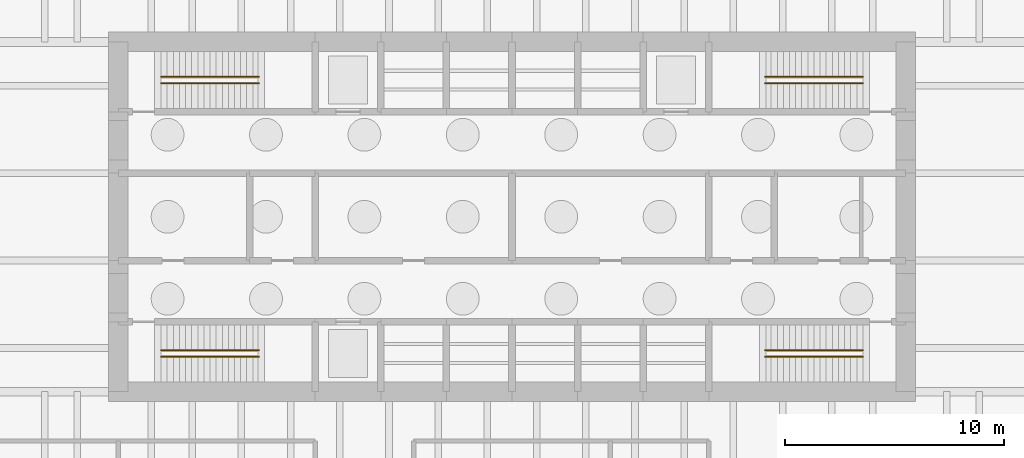
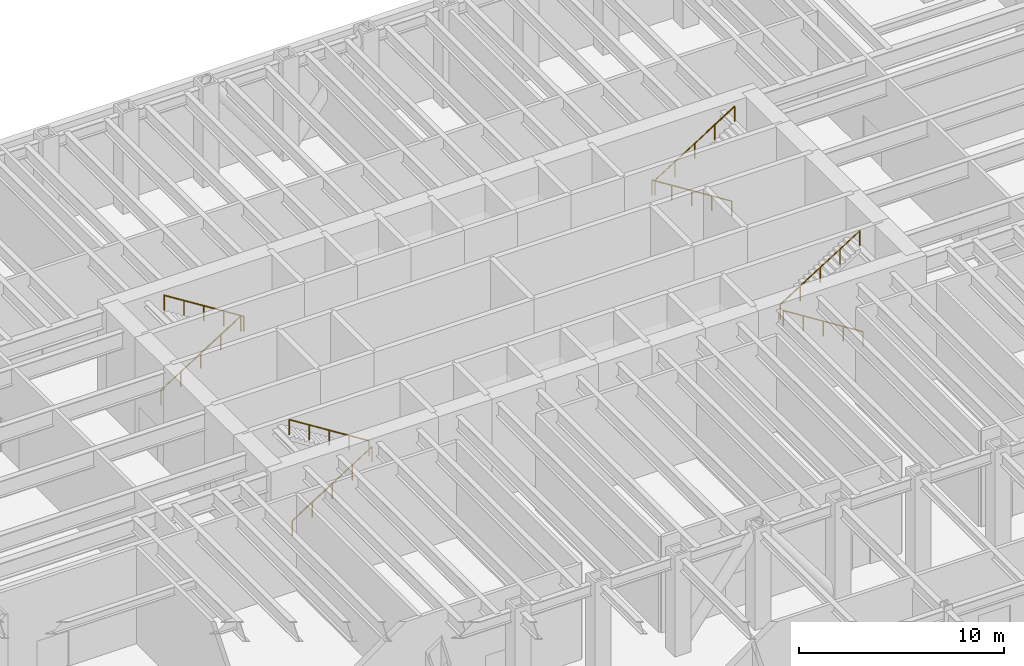
# One storey, part 8 of 9: 8 railings.
"""IFC4 building model written with IfcOpenShell, lengths in metres."""

from ifc_helpers import new_model, si_unit, direction, frame, origin, origin_2d, place, context, subcontext, project, spatial, circle, extrude, material, type_object, element, save


model = new_model("IFC4")

# Units and contexts
model_context = context("Model", 3, precision=1e-05, world=origin(), true_north=direction((0.0, 1.0)))
body_context = subcontext(model_context, "Body", "Model", "MODEL_VIEW")
ifc_project = project(units=[si_unit("LENGTHUNIT", "METRE"), si_unit("AREAUNIT", "SQUARE_METRE"), si_unit("VOLUMEUNIT", "CUBIC_METRE"), si_unit("PLANEANGLEUNIT", "RADIAN"), si_unit("MASSUNIT", "GRAM", prefix="KILO")], contexts=[model_context])

# Site, building, storey
site_placement = place(None, origin())
site = spatial("IfcSite", under=ifc_project, at=site_placement, CompositionType="ELEMENT")
building_placement = place(site_placement, origin())
building = spatial("IfcBuilding", under=site, at=building_placement, Name="Rheinbord Bourse Tower", CompositionType="ELEMENT")
storey_placement = place(building_placement, frame((0.0, 0.0, -6.0)))
storey = spatial("IfcBuildingStorey", under=building, at=storey_placement, Name="B1", CompositionType="ELEMENT", Elevation=-6.0)

# Railings
ifc_material = material(Name="Steel handrail", Category="steel")
railing_type = type_object("IfcRailingType", Name="HANDRAIL 900", PredefinedType="HANDRAIL", material=ifc_material)
railing_1_placement = place(storey_placement, frame((19.949951171875, 17.60009765625, 0.176025390625)))
element("IfcRailing", 1, at=railing_1_placement, inside=storey, type_object=railing_type, Name="Handrail", PredefinedType="HANDRAIL", context=body_context, shape_type="SweptSolid", body=[
    extrude(circle(Radius=0.02392578125, at=origin_2d()), frame((0.0, 0.0, 0.8759765625), z_axis=(0.845956345692, 0.0, 0.533252155347), x_axis=(0.0, 1.0, 0.0)), (0.0, 0.0, 1.0), 5.295654296875),
    extrude(circle(Radius=0.02099609375, at=origin_2d()), origin(), (0.0, 0.0, 1.0), 0.851806640625),
    extrude(circle(Radius=0.02099609375, at=origin_2d()), frame((1.1201171875, 0.0, 0.7060546875)), (0.0, 0.0, 1.0), 0.851806640625),
    extrude(circle(Radius=0.02099609375, at=origin_2d()), frame((2.239990234375, 0.0, 1.412109375)), (0.0, 0.0, 1.0), 0.851806640625),
    extrude(circle(Radius=0.02099609375, at=origin_2d()), frame((3.35986328125, 0.0, 2.117919921875)), (0.0, 0.0, 1.0), 0.851806640625),
    extrude(circle(Radius=0.02099609375, at=origin_2d()), frame((4.47998046875, 0.0, 2.823974609375)), (0.0, 0.0, 1.0), 0.851806640625),
])
railing_2_placement = place(storey_placement, frame((24.429931640625, 17.89990234375, 3.176025390625)))
element("IfcRailing", 2, at=railing_2_placement, inside=storey, type_object=railing_type, Name="Handrail", PredefinedType="HANDRAIL", context=body_context, shape_type="SweptSolid", body=[
    extrude(circle(Radius=0.02392578125, at=origin_2d()), frame((0.0, 0.0, 0.8759765625), z_axis=(-0.845956345692, 0.0, 0.533252155347), x_axis=(0.0, -1.0, 0.0)), (0.0, 0.0, 1.0), 5.295654296875),
    extrude(circle(Radius=0.02099609375, at=origin_2d()), origin(), (0.0, 0.0, 1.0), 0.851806640625),
    extrude(circle(Radius=0.02099609375, at=origin_2d()), frame((-1.1201171875, 0.0, 0.7060546875)), (0.0, 0.0, 1.0), 0.851806640625),
    extrude(circle(Radius=0.02099609375, at=origin_2d()), frame((-2.239990234375, 0.0, 1.412109375)), (0.0, 0.0, 1.0), 0.851806640625),
    extrude(circle(Radius=0.02099609375, at=origin_2d()), frame((-3.35986328125, 0.0, 2.117919921875)), (0.0, 0.0, 1.0), 0.851806640625),
    extrude(circle(Radius=0.02099609375, at=origin_2d()), frame((-4.47998046875, 0.0, 2.823974609375)), (0.0, 0.0, 1.0), 0.851806640625),
])
railing_3_placement = place(storey_placement, frame((19.949951171875, 30.39990234375, 0.176025390625)))
element("IfcRailing", 3, at=railing_3_placement, inside=storey, type_object=railing_type, Name="Handrail", PredefinedType="HANDRAIL", context=body_context, shape_type="SweptSolid", body=[
    extrude(circle(Radius=0.02392578125, at=origin_2d()), frame((0.0, 0.0, 0.8759765625), z_axis=(0.845956345692, 0.0, 0.533252155347), x_axis=(0.0, 1.0, 0.0)), (0.0, 0.0, 1.0), 5.295654296875),
    extrude(circle(Radius=0.02099609375, at=origin_2d()), origin(), (0.0, 0.0, 1.0), 0.851806640625),
    extrude(circle(Radius=0.02099609375, at=origin_2d()), frame((1.1201171875, 0.0, 0.7060546875)), (0.0, 0.0, 1.0), 0.851806640625),
    extrude(circle(Radius=0.02099609375, at=origin_2d()), frame((2.239990234375, 0.0, 1.412109375)), (0.0, 0.0, 1.0), 0.851806640625),
    extrude(circle(Radius=0.02099609375, at=origin_2d()), frame((3.35986328125, 0.0, 2.117919921875)), (0.0, 0.0, 1.0), 0.851806640625),
    extrude(circle(Radius=0.02099609375, at=origin_2d()), frame((4.47998046875, 0.0, 2.823974609375)), (0.0, 0.0, 1.0), 0.851806640625),
])
for number, where, name in (
    (4, (24.429931640625, 30.10009765625, 3.176025390625), "Handrail"),
    (5, (52.050048828125, 17.60009765625, 0.176025390625), "Handrail"),
):
    element("IfcRailing", number, at=place(storey_placement, frame(where)), inside=storey, type_object=railing_type, Name=name, PredefinedType="HANDRAIL", context=body_context, shape_type="SweptSolid", body=[
        extrude(circle(Radius=0.02392578125, at=origin_2d()), frame((0.0, 0.0, 0.8759765625), z_axis=(-0.845956345692, 0.0, 0.533252155347), x_axis=(0.0, -1.0, 0.0)), (0.0, 0.0, 1.0), 5.295654296875),
        extrude(circle(Radius=0.02099609375, at=origin_2d()), origin(), (0.0, 0.0, 1.0), 0.851806640625),
        extrude(circle(Radius=0.02099609375, at=origin_2d()), frame((-1.1201171875, 0.0, 0.7060546875)), (0.0, 0.0, 1.0), 0.851806640625),
        extrude(circle(Radius=0.02099609375, at=origin_2d()), frame((-2.239990234375, 0.0, 1.412109375)), (0.0, 0.0, 1.0), 0.851806640625),
        extrude(circle(Radius=0.02099609375, at=origin_2d()), frame((-3.35986328125, 0.0, 2.117919921875)), (0.0, 0.0, 1.0), 0.851806640625),
        extrude(circle(Radius=0.02099609375, at=origin_2d()), frame((-4.47998046875, 0.0, 2.823974609375)), (0.0, 0.0, 1.0), 0.851806640625),
    ])
railing_4_placement = place(storey_placement, frame((47.570068359375, 17.89990234375, 3.176025390625)))
element("IfcRailing", 6, at=railing_4_placement, inside=storey, type_object=railing_type, Name="Handrail", PredefinedType="HANDRAIL", context=body_context, shape_type="SweptSolid", body=[
    extrude(circle(Radius=0.02392578125, at=origin_2d()), frame((0.0, 0.0, 0.8759765625), z_axis=(0.845956345692, 0.0, 0.533252155347), x_axis=(0.0, 1.0, 0.0)), (0.0, 0.0, 1.0), 5.295654296875),
    extrude(circle(Radius=0.02099609375, at=origin_2d()), origin(), (0.0, 0.0, 1.0), 0.851806640625),
    extrude(circle(Radius=0.02099609375, at=origin_2d()), frame((1.1201171875, 0.0, 0.7060546875)), (0.0, 0.0, 1.0), 0.851806640625),
    extrude(circle(Radius=0.02099609375, at=origin_2d()), frame((2.239990234375, 0.0, 1.412109375)), (0.0, 0.0, 1.0), 0.851806640625),
    extrude(circle(Radius=0.02099609375, at=origin_2d()), frame((3.35986328125, 0.0, 2.117919921875)), (0.0, 0.0, 1.0), 0.851806640625),
    extrude(circle(Radius=0.02099609375, at=origin_2d()), frame((4.47998046875, 0.0, 2.823974609375)), (0.0, 0.0, 1.0), 0.851806640625),
])
railing_5_placement = place(storey_placement, frame((52.050048828125, 30.39990234375, 0.176025390625)))
element("IfcRailing", 7, at=railing_5_placement, inside=storey, type_object=railing_type, Name="Handrail", PredefinedType="HANDRAIL", context=body_context, shape_type="SweptSolid", body=[
    extrude(circle(Radius=0.02392578125, at=origin_2d()), frame((0.0, 0.0, 0.8759765625), z_axis=(-0.845956345692, 0.0, 0.533252155347), x_axis=(0.0, -1.0, 0.0)), (0.0, 0.0, 1.0), 5.295654296875),
    extrude(circle(Radius=0.02099609375, at=origin_2d()), origin(), (0.0, 0.0, 1.0), 0.851806640625),
    extrude(circle(Radius=0.02099609375, at=origin_2d()), frame((-1.1201171875, 0.0, 0.7060546875)), (0.0, 0.0, 1.0), 0.851806640625),
    extrude(circle(Radius=0.02099609375, at=origin_2d()), frame((-2.239990234375, 0.0, 1.412109375)), (0.0, 0.0, 1.0), 0.851806640625),
    extrude(circle(Radius=0.02099609375, at=origin_2d()), frame((-3.35986328125, 0.0, 2.117919921875)), (0.0, 0.0, 1.0), 0.851806640625),
    extrude(circle(Radius=0.02099609375, at=origin_2d()), frame((-4.47998046875, 0.0, 2.823974609375)), (0.0, 0.0, 1.0), 0.851806640625),
])
railing_6_placement = place(storey_placement, frame((47.570068359375, 30.10009765625, 3.176025390625)))
element("IfcRailing", 8, at=railing_6_placement, inside=storey, type_object=railing_type, Name="Handrail", PredefinedType="HANDRAIL", context=body_context, shape_type="SweptSolid", body=[
    extrude(circle(Radius=0.02392578125, at=origin_2d()), frame((0.0, 0.0, 0.8759765625), z_axis=(0.845956345692, 0.0, 0.533252155347), x_axis=(0.0, 1.0, 0.0)), (0.0, 0.0, 1.0), 5.295654296875),
    extrude(circle(Radius=0.02099609375, at=origin_2d()), origin(), (0.0, 0.0, 1.0), 0.851806640625),
    extrude(circle(Radius=0.02099609375, at=origin_2d()), frame((1.1201171875, 0.0, 0.7060546875)), (0.0, 0.0, 1.0), 0.851806640625),
    extrude(circle(Radius=0.02099609375, at=origin_2d()), frame((2.239990234375, 0.0, 1.412109375)), (0.0, 0.0, 1.0), 0.851806640625),
    extrude(circle(Radius=0.02099609375, at=origin_2d()), frame((3.35986328125, 0.0, 2.117919921875)), (0.0, 0.0, 1.0), 0.851806640625),
    extrude(circle(Radius=0.02099609375, at=origin_2d()), frame((4.47998046875, 0.0, 2.823974609375)), (0.0, 0.0, 1.0), 0.851806640625),
])

save(model, "model.ifc")
